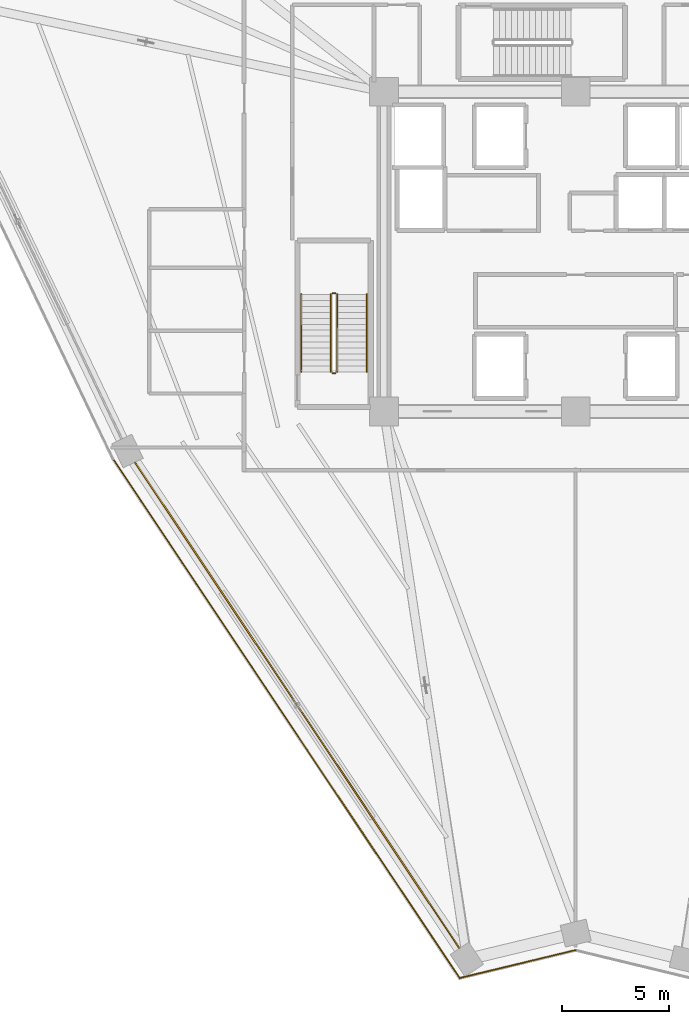
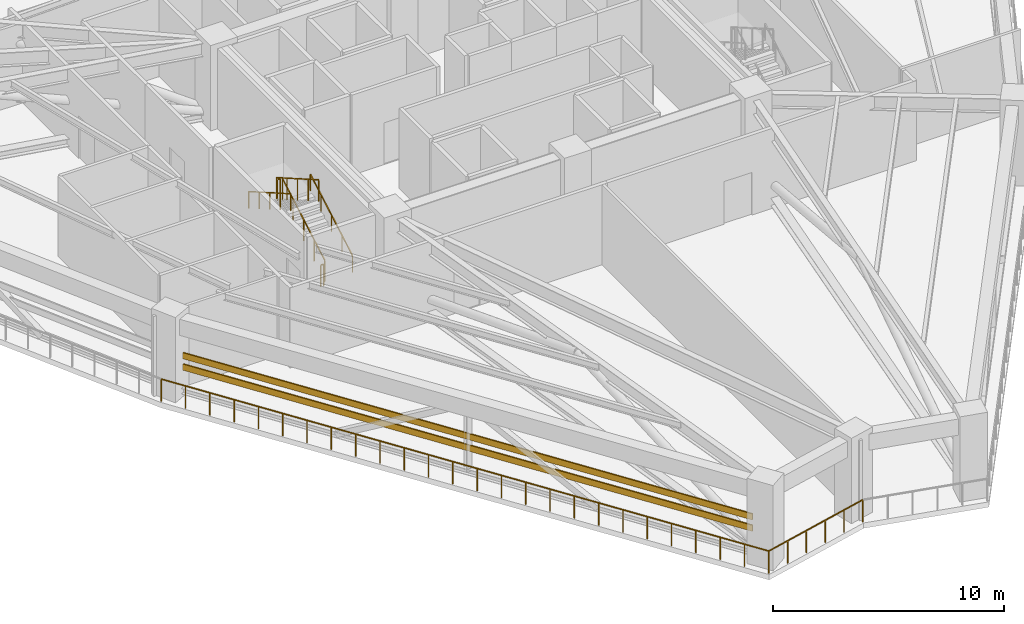
# One storey, part 18 of 22: 8 railings, 2 shading devices.
"""IFC4 building model written with IfcOpenShell, lengths in metres."""

from ifc_helpers import new_model, si_unit, direction, frame, origin, origin_2d, place, context, subcontext, project, spatial, rectangle, extrude, source, transform, mapped, material, material_profile, profile_set, type_object, element, save


model = new_model("IFC4")

# Units and contexts
model_context = context("Model", 3, precision=1e-05, world=origin(), true_north=direction((0.0, 1.0)))
body_context = subcontext(model_context, "Body", "Model", "MODEL_VIEW")
ifc_project = project(units=[si_unit("LENGTHUNIT", "METRE"), si_unit("AREAUNIT", "SQUARE_METRE"), si_unit("VOLUMEUNIT", "CUBIC_METRE"), si_unit("PLANEANGLEUNIT", "RADIAN"), si_unit("MASSUNIT", "GRAM", prefix="KILO")], contexts=[model_context])

# Site, building, storey
site_placement = place(None, origin())
site = spatial("IfcSite", under=ifc_project, at=site_placement, CompositionType="ELEMENT")
building_placement = place(site_placement, origin())
building = spatial("IfcBuilding", under=site, at=building_placement, Name="Liaohun Quay Tower", CompositionType="ELEMENT")
storey_placement = place(building_placement, frame((0.0, 0.0, 277.5)))
storey = spatial("IfcBuildingStorey", under=building, at=storey_placement, Name="L72", CompositionType="ELEMENT", Elevation=277.5)

# Railings
ifc_material_1 = material(Name="Galvanised and powder-coated steel", Category="steel")
railing_type_1 = type_object("IfcRailingType", Name="RLG-GUARD-EXT", PredefinedType="GUARDRAIL", material=ifc_material_1)
railing_1_placement = place(storey_placement, frame((54.551025390625, 19.908935546875, 0.0)))
element("IfcRailing", 1, at=railing_1_placement, inside=storey, type_object=railing_type_1, Name="L72 Open Refuge Band Perimeter Guardrail 01", PredefinedType="GUARDRAIL", context=body_context, shape_type="SweptSolid", body=[
    extrude(rectangle(XDim=0.048095703125, YDim=0.048095703125, at=origin_2d()), frame((0.0, 0.0, 1.17578125), z_axis=(-0.55529851425, 0.831651104774, 0.0), x_axis=(-0.831651104774, -0.55529851425, 0.0)), (0.0, 0.0, 1.0), 29.278076171875),
    extrude(rectangle(XDim=0.0419921875, YDim=0.0419921875, at=origin_2d()), origin(), (0.0, 0.0, 1.0), 1.15185546875),
    extrude(rectangle(XDim=0.0419921875, YDim=0.0419921875, at=origin_2d()), frame((-0.650390625, 0.973876953125, 0.0)), (0.0, 0.0, 1.0), 1.15185546875),
    extrude(rectangle(XDim=0.0419921875, YDim=0.0419921875, at=origin_2d()), frame((-1.300537109375, 1.947998046875, 0.0)), (0.0, 0.0, 1.0), 1.15185546875),
    extrude(rectangle(XDim=0.0419921875, YDim=0.0419921875, at=origin_2d()), frame((-1.950927734375, 2.921875, 0.0)), (0.0, 0.0, 1.0), 1.15185546875),
    extrude(rectangle(XDim=0.0419921875, YDim=0.0419921875, at=origin_2d()), frame((-2.601318359375, 3.895751953125, 0.0)), (0.0, 0.0, 1.0), 1.15185546875),
    extrude(rectangle(XDim=0.0419921875, YDim=0.0419921875, at=origin_2d()), frame((-3.251708984375, 4.869873046875, 0.0)), (0.0, 0.0, 1.0), 1.15185546875),
    extrude(rectangle(XDim=0.0419921875, YDim=0.0419921875, at=origin_2d()), frame((-3.90185546875, 5.84375, 0.0)), (0.0, 0.0, 1.0), 1.15185546875),
    extrude(rectangle(XDim=0.0419921875, YDim=0.0419921875, at=origin_2d()), frame((-4.55224609375, 6.81787109375, 0.0)), (0.0, 0.0, 1.0), 1.15185546875),
    extrude(rectangle(XDim=0.0419921875, YDim=0.0419921875, at=origin_2d()), frame((-5.20263671875, 7.791748046875, 0.0)), (0.0, 0.0, 1.0), 1.15185546875),
    extrude(rectangle(XDim=0.0419921875, YDim=0.0419921875, at=origin_2d()), frame((-5.852783203125, 8.765625, 0.0)), (0.0, 0.0, 1.0), 1.15185546875),
    extrude(rectangle(XDim=0.0419921875, YDim=0.0419921875, at=origin_2d()), frame((-6.503173828125, 9.73974609375, 0.0)), (0.0, 0.0, 1.0), 1.15185546875),
    extrude(rectangle(XDim=0.0419921875, YDim=0.0419921875, at=origin_2d()), frame((-7.153564453125, 10.713623046875, 0.0)), (0.0, 0.0, 1.0), 1.15185546875),
    extrude(rectangle(XDim=0.0419921875, YDim=0.0419921875, at=origin_2d()), frame((-7.803955078125, 11.6875, 0.0)), (0.0, 0.0, 1.0), 1.15185546875),
    extrude(rectangle(XDim=0.0419921875, YDim=0.0419921875, at=origin_2d()), frame((-8.4541015625, 12.66162109375, 0.0)), (0.0, 0.0, 1.0), 1.15185546875),
    extrude(rectangle(XDim=0.0419921875, YDim=0.0419921875, at=origin_2d()), frame((-9.1044921875, 13.635498046875, 0.0)), (0.0, 0.0, 1.0), 1.15185546875),
    extrude(rectangle(XDim=0.0419921875, YDim=0.0419921875, at=origin_2d()), frame((-9.7548828125, 14.609375, 0.0)), (0.0, 0.0, 1.0), 1.15185546875),
    extrude(rectangle(XDim=0.0419921875, YDim=0.0419921875, at=origin_2d()), frame((-10.4052734375, 15.58349609375, 0.0)), (0.0, 0.0, 1.0), 1.15185546875),
    extrude(rectangle(XDim=0.0419921875, YDim=0.0419921875, at=origin_2d()), frame((-11.055419921875, 16.557373046875, 0.0)), (0.0, 0.0, 1.0), 1.15185546875),
    extrude(rectangle(XDim=0.0419921875, YDim=0.0419921875, at=origin_2d()), frame((-11.705810546875, 17.53125, 0.0)), (0.0, 0.0, 1.0), 1.15185546875),
    extrude(rectangle(XDim=0.0419921875, YDim=0.0419921875, at=origin_2d()), frame((-12.356201171875, 18.50537109375, 0.0)), (0.0, 0.0, 1.0), 1.15185546875),
    extrude(rectangle(XDim=0.0419921875, YDim=0.0419921875, at=origin_2d()), frame((-13.00634765625, 19.479248046875, 0.0)), (0.0, 0.0, 1.0), 1.15185546875),
    extrude(rectangle(XDim=0.0419921875, YDim=0.0419921875, at=origin_2d()), frame((-13.65673828125, 20.453369140625, 0.0)), (0.0, 0.0, 1.0), 1.15185546875),
    extrude(rectangle(XDim=0.0419921875, YDim=0.0419921875, at=origin_2d()), frame((-14.30712890625, 21.42724609375, 0.0)), (0.0, 0.0, 1.0), 1.15185546875),
    extrude(rectangle(XDim=0.0419921875, YDim=0.0419921875, at=origin_2d()), frame((-14.95751953125, 22.401123046875, 0.0)), (0.0, 0.0, 1.0), 1.15185546875),
    extrude(rectangle(XDim=0.0419921875, YDim=0.0419921875, at=origin_2d()), frame((-15.607666015625, 23.375244140625, 0.0)), (0.0, 0.0, 1.0), 1.15185546875),
    extrude(rectangle(XDim=0.0419921875, YDim=0.0419921875, at=origin_2d()), frame((-16.258056640625, 24.34912109375, 0.0)), (0.0, 0.0, 1.0), 1.15185546875),
])
railing_2_placement = place(storey_placement, frame((60.0, 21.22509765625, 0.0)))
element("IfcRailing", 2, at=railing_2_placement, inside=storey, type_object=railing_type_1, Name="L72 Open Refuge Band Perimeter Guardrail 12", PredefinedType="GUARDRAIL", context=body_context, shape_type="SweptSolid", body=[
    extrude(rectangle(XDim=0.048095703125, YDim=0.048095703125, at=origin_2d()), frame((0.0, 0.0, 1.17578125), z_axis=(-0.972045886961, -0.234790957328, 0.0), x_axis=(0.234790957328, -0.972045886961, 0.0)), (0.0, 0.0, 1.0), 5.605712890625),
    extrude(rectangle(XDim=0.0419921875, YDim=0.0419921875, at=origin_2d()), origin(), (0.0, 0.0, 1.0), 1.15185546875),
    extrude(rectangle(XDim=0.0419921875, YDim=0.0419921875, at=origin_2d()), frame((-1.08984375, -0.26318359375, 0.0)), (0.0, 0.0, 1.0), 1.15185546875),
    extrude(rectangle(XDim=0.0419921875, YDim=0.0419921875, at=origin_2d()), frame((-2.1796875, -0.5263671875, 0.0)), (0.0, 0.0, 1.0), 1.15185546875),
    extrude(rectangle(XDim=0.0419921875, YDim=0.0419921875, at=origin_2d()), frame((-3.269287109375, -0.789794921875, 0.0)), (0.0, 0.0, 1.0), 1.15185546875),
    extrude(rectangle(XDim=0.0419921875, YDim=0.0419921875, at=origin_2d()), frame((-4.359130859375, -1.052978515625, 0.0)), (0.0, 0.0, 1.0), 1.15185546875),
    extrude(rectangle(XDim=0.0419921875, YDim=0.0419921875, at=origin_2d()), frame((-5.448974609375, -1.316162109375, 0.0)), (0.0, 0.0, 1.0), 1.15185546875),
])
ifc_material_2 = material(Name="Painted tubular steel", Category="steel")
railing_type_2 = type_object("IfcRailingType", Name="RLG-GUARD-STR", PredefinedType="GUARDRAIL", material=ifc_material_2)
railing_3_placement = place(storey_placement, frame((48.81005859375, 48.35009765625, 0.16064453125)))
element("IfcRailing", 3, at=railing_3_placement, inside=storey, type_object=railing_type_2, Name="L72 ST-1 stair guard 1", PredefinedType="GUARDRAIL", context=body_context, shape_type="SweptSolid", body=[
    extrude(rectangle(XDim=0.048095703125, YDim=0.048095703125, at=origin_2d()), frame((0.0, 0.0, 1.1259765625), z_axis=(0.0, 0.8672749571, 0.497829437445), x_axis=(-1.0, 0.0, 0.0)), (0.0, 0.0, 1.0), 4.197021484375),
    extrude(rectangle(XDim=0.0419921875, YDim=0.0419921875, at=origin_2d()), origin(), (0.0, 0.0, 1.0), 1.101806640625),
    extrude(rectangle(XDim=0.0419921875, YDim=0.0419921875, at=origin_2d()), frame((0.0, 0.909912109375, 0.5224609375)), (0.0, 0.0, 1.0), 1.101806640625),
    extrude(rectangle(XDim=0.0419921875, YDim=0.0419921875, at=origin_2d()), frame((0.0, 1.81982421875, 1.044677734375)), (0.0, 0.0, 1.0), 1.101806640625),
    extrude(rectangle(XDim=0.0419921875, YDim=0.0419921875, at=origin_2d()), frame((0.0, 2.72998046875, 1.56689453125)), (0.0, 0.0, 1.0), 1.101806640625),
    extrude(rectangle(XDim=0.0419921875, YDim=0.0419921875, at=origin_2d()), frame((0.0, 3.639892578125, 2.08935546875)), (0.0, 0.0, 1.0), 1.101806640625),
])
railing_4_placement = place(storey_placement, frame((48.72998046875, 52.0400390625, 2.25)))
element("IfcRailing", 4, at=railing_4_placement, inside=storey, type_object=railing_type_2, Name="L72 ST-1 stair guard 2", PredefinedType="GUARDRAIL", context=body_context, shape_type="SweptSolid", body=[
    extrude(rectangle(XDim=0.048095703125, YDim=0.048095703125, at=origin_2d()), frame((0.0, 0.0, 1.1259765625), z_axis=(-1.0, 0.0, 0.0), x_axis=(0.0, -1.0, 0.0)), (0.0, 0.0, 1.0), 0.139892578125),
    extrude(rectangle(XDim=0.0419921875, YDim=0.0419921875, at=origin_2d()), origin(), (0.0, 0.0, 1.0), 1.101806640625),
    extrude(rectangle(XDim=0.0419921875, YDim=0.0419921875, at=origin_2d()), frame((-0.139892578125, 0.0, 0.0)), (0.0, 0.0, 1.0), 1.101806640625),
])
railing_5_placement = place(storey_placement, frame((48.510009765625, 51.989990234375, 2.41064453125)))
element("IfcRailing", 5, at=railing_5_placement, inside=storey, type_object=railing_type_2, Name="L72 ST-1 stair guard 3", PredefinedType="GUARDRAIL", context=body_context, shape_type="SweptSolid", body=[
    extrude(rectangle(XDim=0.048095703125, YDim=0.048095703125, at=origin_2d()), frame((0.0, 0.0, 1.1259765625), z_axis=(0.0, -0.8672749571, 0.497829437445), x_axis=(1.0, 0.0, 0.0)), (0.0, 0.0, 1.0), 4.197021484375),
    extrude(rectangle(XDim=0.0419921875, YDim=0.0419921875, at=origin_2d()), origin(), (0.0, 0.0, 1.0), 1.101806640625),
    extrude(rectangle(XDim=0.0419921875, YDim=0.0419921875, at=origin_2d()), frame((0.0, -0.909912109375, 0.5224609375)), (0.0, 0.0, 1.0), 1.101806640625),
    extrude(rectangle(XDim=0.0419921875, YDim=0.0419921875, at=origin_2d()), frame((0.0, -1.81982421875, 1.044677734375)), (0.0, 0.0, 1.0), 1.101806640625),
    extrude(rectangle(XDim=0.0419921875, YDim=0.0419921875, at=origin_2d()), frame((0.0, -2.72998046875, 1.56689453125)), (0.0, 0.0, 1.0), 1.101806640625),
    extrude(rectangle(XDim=0.0419921875, YDim=0.0419921875, at=origin_2d()), frame((0.0, -3.639892578125, 2.08935546875)), (0.0, 0.0, 1.0), 1.101806640625),
])
railing_6_placement = place(storey_placement, frame((48.72998046875, 48.300048828125, 0.0)))
element("IfcRailing", 6, at=railing_6_placement, inside=storey, type_object=railing_type_2, Name="L72 ST-1 stair guard 4", PredefinedType="GUARDRAIL", context=body_context, shape_type="SweptSolid", body=[
    extrude(rectangle(XDim=0.048095703125, YDim=0.048095703125, at=origin_2d()), frame((0.0, 0.0, 1.1259765625), z_axis=(-1.0, 0.0, 0.0), x_axis=(0.0, -1.0, 0.0)), (0.0, 0.0, 1.0), 0.139892578125),
    extrude(rectangle(XDim=0.0419921875, YDim=0.0419921875, at=origin_2d()), origin(), (0.0, 0.0, 1.0), 1.101806640625),
    extrude(rectangle(XDim=0.0419921875, YDim=0.0419921875, at=origin_2d()), frame((-0.139892578125, 0.0, 0.0)), (0.0, 0.0, 1.0), 1.101806640625),
])
ifc_material_3 = material(Name="Brushed stainless steel", Category="steel")
railing_type_3 = type_object("IfcRailingType", Name="RLG-HND-STR", PredefinedType="HANDRAIL", material=ifc_material_3)
railing_7_placement = place(storey_placement, frame((50.199951171875, 48.35009765625, 0.16064453125)))
element("IfcRailing", 7, at=railing_7_placement, inside=storey, type_object=railing_type_3, Name="L72 ST-1 stair handrail 1", PredefinedType="HANDRAIL", context=body_context, shape_type="SweptSolid", body=[
    extrude(rectangle(XDim=0.048095703125, YDim=0.048095703125, at=origin_2d()), frame((0.0, 0.0, 0.8759765625), z_axis=(0.0, 0.8672749571, 0.497829437445), x_axis=(-1.0, 0.0, 0.0)), (0.0, 0.0, 1.0), 4.197021484375),
    extrude(rectangle(XDim=0.0419921875, YDim=0.0419921875, at=origin_2d()), origin(), (0.0, 0.0, 1.0), 0.851806640625),
    extrude(rectangle(XDim=0.0419921875, YDim=0.0419921875, at=origin_2d()), frame((0.0, 0.909912109375, 0.5224609375)), (0.0, 0.0, 1.0), 0.851806640625),
    extrude(rectangle(XDim=0.0419921875, YDim=0.0419921875, at=origin_2d()), frame((0.0, 1.81982421875, 1.044677734375)), (0.0, 0.0, 1.0), 0.851806640625),
    extrude(rectangle(XDim=0.0419921875, YDim=0.0419921875, at=origin_2d()), frame((0.0, 2.72998046875, 1.56689453125)), (0.0, 0.0, 1.0), 0.851806640625),
    extrude(rectangle(XDim=0.0419921875, YDim=0.0419921875, at=origin_2d()), frame((0.0, 3.639892578125, 2.08935546875)), (0.0, 0.0, 1.0), 0.851806640625),
])
railing_8_placement = place(storey_placement, frame((47.1201171875, 51.989990234375, 2.41064453125)))
element("IfcRailing", 8, at=railing_8_placement, inside=storey, type_object=railing_type_3, Name="L72 ST-1 stair handrail 2", PredefinedType="HANDRAIL", context=body_context, shape_type="SweptSolid", body=[
    extrude(rectangle(XDim=0.048095703125, YDim=0.048095703125, at=origin_2d()), frame((0.0, 0.0, 0.8759765625), z_axis=(0.0, -0.8672749571, 0.497829437445), x_axis=(1.0, 0.0, 0.0)), (0.0, 0.0, 1.0), 4.197021484375),
    extrude(rectangle(XDim=0.0419921875, YDim=0.0419921875, at=origin_2d()), origin(), (0.0, 0.0, 1.0), 0.851806640625),
    extrude(rectangle(XDim=0.0419921875, YDim=0.0419921875, at=origin_2d()), frame((0.0, -0.909912109375, 0.5224609375)), (0.0, 0.0, 1.0), 0.851806640625),
    extrude(rectangle(XDim=0.0419921875, YDim=0.0419921875, at=origin_2d()), frame((0.0, -1.81982421875, 1.044677734375)), (0.0, 0.0, 1.0), 0.851806640625),
    extrude(rectangle(XDim=0.0419921875, YDim=0.0419921875, at=origin_2d()), frame((0.0, -2.72998046875, 1.56689453125)), (0.0, 0.0, 1.0), 0.851806640625),
    extrude(rectangle(XDim=0.0419921875, YDim=0.0419921875, at=origin_2d()), frame((0.0, -3.639892578125, 2.08935546875)), (0.0, 0.0, 1.0), 0.851806640625),
])

# Shading devices
ifc_material_4 = material(Name="Fluorocarbon-coated aluminium", Category="aluminium")
ifc_material_profile = material_profile(ifc_material_4, rectangle(XDim=0.06494140625, YDim=0.320068359375, at=origin_2d()), Name="ALU-LVR-320x65")
ifc_profile_set = profile_set([ifc_material_profile], Name="Fluorocarbon-coated aluminium")
shading_device_type = type_object("IfcShadingDeviceType", Name="SHD-LVR-REF", PredefinedType="USERDEFINED", material=ifc_profile_set)
shared_shape = source(origin(), body_context, "Body", "SweptSolid", [
    extrude(rectangle(XDim=0.06494140625, YDim=0.320068359375, at=origin_2d()), origin(), (0.0, 0.0, 1.0), 27.4541015625),
])
for number, where, z_axis, x_axis, name in (
    (9, (54.550048828125, 21.294921875, 1.550048828125), (-0.555258257402, 0.831677983108, 0.0), (-0.831677983108, -0.555258257402, 0.0), "L72 Refuge Plant Acoustic Louvre Blade LV-1-01"),
    (10, (54.550048828125, 21.294921875, 2.14990234375), (-0.555258257402, 0.831677983108, 0.0), (-0.831677983108, -0.555258257402, 0.0), "L72 Refuge Plant Acoustic Louvre Blade LV-1-02"),
):
    element("IfcShadingDevice", number, at=place(storey_placement, frame(where, z_axis=z_axis, x_axis=x_axis)), inside=storey, type_object=shading_device_type, Name=name, ObjectType="LOUVRE", PredefinedType="USERDEFINED", context=body_context, shape_type="MappedRepresentation", body=[
        mapped(shared_shape, transform((0.0, 0.0, 0.0), x_axis=(1.0, 0.0, 0.0), y_axis=(0.0, 1.0, 0.0), z_axis=(0.0, 0.0, 1.0), scale=1.0)),
    ])

save(model, "model.ifc")
